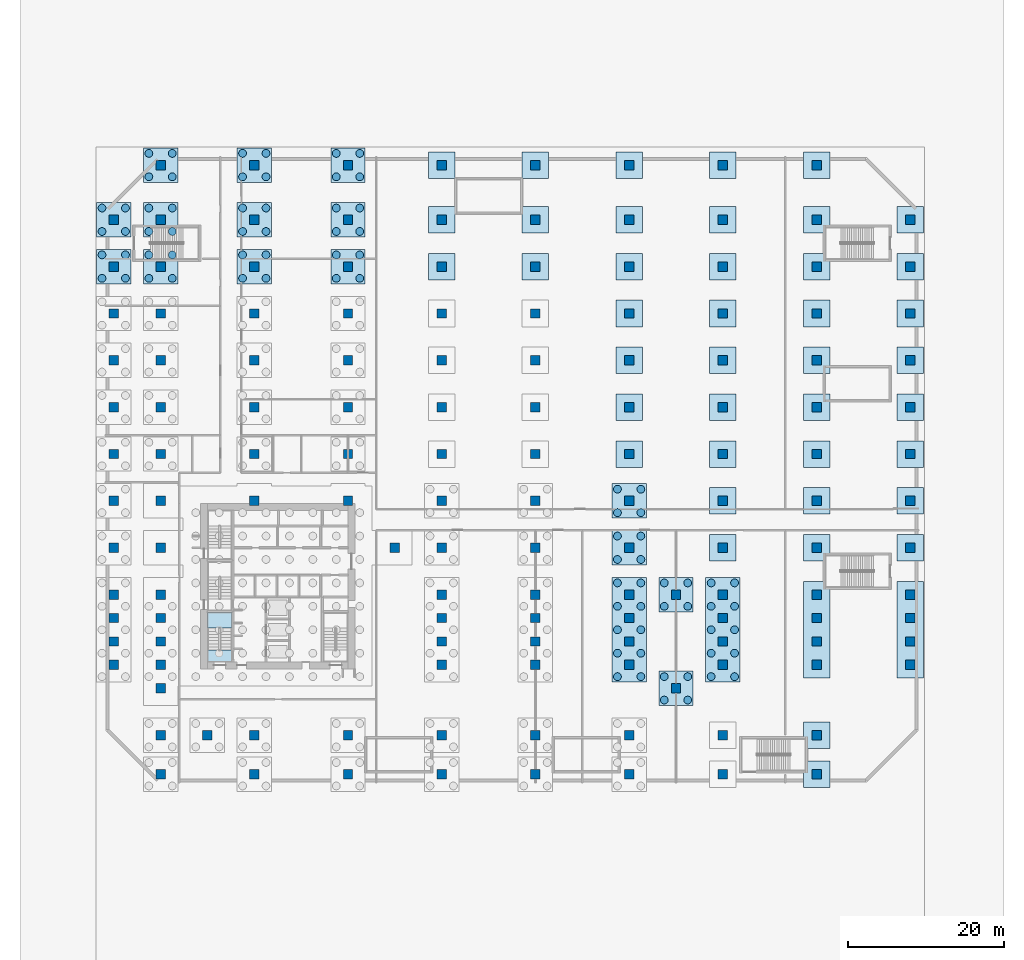
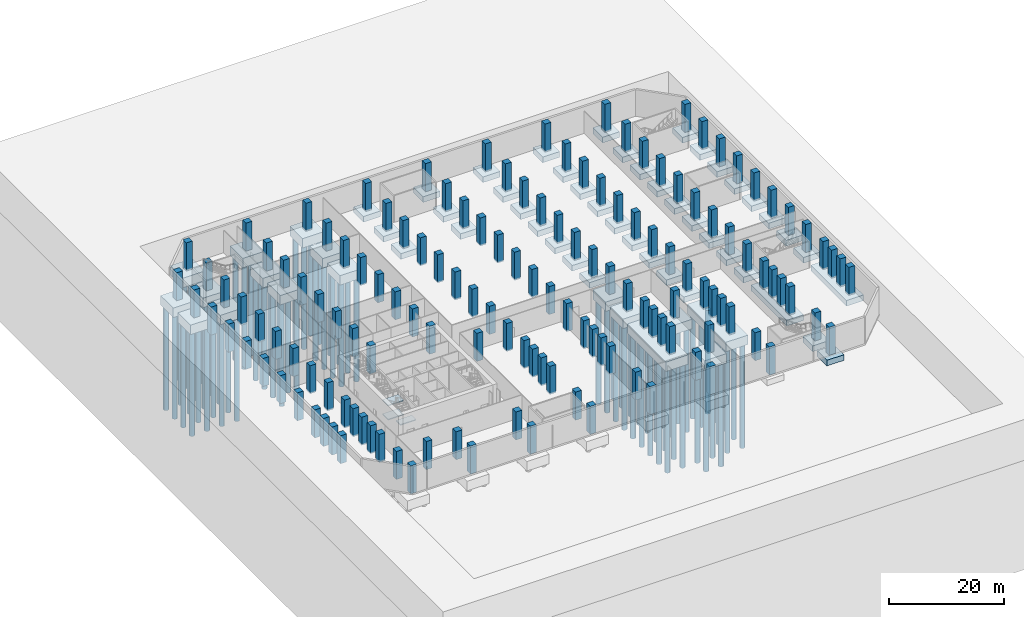
# One storey, part 2 of 16: 139 columns, 80 piles, 60 footings, 3 slabs, 1 element without a shape of its own.
"""IFC4 building model written with IfcOpenShell, lengths in metres."""

from ifc_helpers import new_model, si_unit, direction, frame, origin, origin_2d, place, context, subcontext, project, spatial, polyline, rectangle, circle, outline, extrude, material, layer, layer_set, material_profile, profile_set, type_object, element, aggregate, save


model = new_model("IFC4")

# Units and contexts
model_context = context("Model", 3, precision=1e-05, world=origin(), true_north=direction((0.0, 1.0)))
body_context = subcontext(model_context, "Body", "Model", "MODEL_VIEW")
ifc_project = project(units=[si_unit("LENGTHUNIT", "METRE"), si_unit("AREAUNIT", "SQUARE_METRE"), si_unit("VOLUMEUNIT", "CUBIC_METRE"), si_unit("PLANEANGLEUNIT", "RADIAN"), si_unit("MASSUNIT", "GRAM", prefix="KILO")], contexts=[model_context])

# Site, building, storey
site_placement = place(None, origin())
site = spatial("IfcSite", under=ifc_project, at=site_placement, CompositionType="ELEMENT")
building_placement = place(site_placement, origin())
building = spatial("IfcBuilding", under=site, at=building_placement, Name="Welwitschia Terrace Campus", CompositionType="ELEMENT")
storey_placement = place(building_placement, frame((0.0, 0.0, -6.0)))
storey = spatial("IfcBuildingStorey", under=building, at=storey_placement, Name="B1", CompositionType="ELEMENT", Elevation=-6.0)

# Piles
ifc_material_1 = material(Name="Concrete C40/50", Category="concrete")
pile_type = type_object("IfcPileType", Name="Bored pile 1000 under cap", PredefinedType="BORED", material=ifc_material_1)
for number, where, z_axis, x_axis, name in (
    (1, (58.5, 3.5, -2.199951171875), (0.0, 0.0, -1.0), (1.0, 0.0, 0.0), "Bored pile"),
    (2, (61.5, 3.5, -2.199951171875), (0.0, 0.0, -1.0), (1.0, 0.0, 0.0), "Bored pile"),
    (3, (58.5, 6.5, -2.199951171875), (0.0, 0.0, -1.0), (1.0, 0.0, 0.0), "Bored pile"),
    (4, (61.5, 6.5, -2.199951171875), (0.0, 0.0, -1.0), (1.0, 0.0, 0.0), "Bored pile"),
    (5, (58.5, 9.5, -2.199951171875), (0.0, 0.0, -1.0), (1.0, 0.0, 0.0), "Bored pile"),
    (6, (61.5, 9.5, -2.199951171875), (0.0, 0.0, -1.0), (1.0, 0.0, 0.0), "Bored pile"),
    (7, (58.5, 12.5, -2.199951171875), (0.0, 0.0, -1.0), (1.0, 0.0, 0.0), "Bored pile"),
    (8, (61.5, 12.5, -2.199951171875), (0.0, 0.0, -1.0), (1.0, 0.0, 0.0), "Bored pile"),
    (9, (58.5, 15.5, -2.199951171875), (0.0, 0.0, -1.0), (1.0, 0.0, 0.0), "Bored pile"),
    (10, (61.5, 15.5, -2.199951171875), (0.0, 0.0, -1.0), (1.0, 0.0, 0.0), "Bored pile"),
    (11, (70.5, 3.5, -2.199951171875), (0.0, 0.0, -1.0), (1.0, 0.0, 0.0), "Bored pile"),
    (12, (73.5, 3.5, -2.199951171875), (0.0, 0.0, -1.0), (1.0, 0.0, 0.0), "Bored pile"),
    (13, (70.5, 6.5, -2.199951171875), (0.0, 0.0, -1.0), (1.0, 0.0, 0.0), "Bored pile"),
    (14, (73.5, 6.5, -2.199951171875), (0.0, 0.0, -1.0), (1.0, 0.0, 0.0), "Bored pile"),
    (15, (70.5, 9.5, -2.199951171875), (0.0, 0.0, -1.0), (1.0, 0.0, 0.0), "Bored pile"),
    (16, (73.5, 9.5, -2.199951171875), (0.0, 0.0, -1.0), (1.0, 0.0, 0.0), "Bored pile"),
    (17, (70.5, 12.5, -2.199951171875), (0.0, 0.0, -1.0), (1.0, 0.0, 0.0), "Bored pile"),
    (18, (73.5, 12.5, -2.199951171875), (0.0, 0.0, -1.0), (1.0, 0.0, 0.0), "Bored pile"),
    (19, (70.5, 15.5, -2.199951171875), (0.0, 0.0, -1.0), (1.0, 0.0, 0.0), "Bored pile"),
    (20, (73.5, 15.5, -2.199951171875), (0.0, 0.0, -1.0), (1.0, 0.0, 0.0), "Bored pile"),
    (21, (-7.5, 54.5, -2.199951171875), (0.0, 0.0, -1.0), (1.0, 0.0, 0.0), "Bored pile"),
    (22, (-7.5, 57.5, -2.199951171875), (0.0, 0.0, -1.0), (1.0, 0.0, 0.0), "Bored pile"),
    (23, (-4.5, 54.5, -2.199951171875), (0.0, 0.0, -1.0), (1.0, 0.0, 0.0), "Bored pile"),
    (24, (-4.5, 57.5, -2.199951171875), (0.0, 0.0, -1.0), (1.0, 0.0, 0.0), "Bored pile"),
    (25, (-7.5, 60.5, -2.199951171875), (0.0, 0.0, -1.0), (1.0, 0.0, 0.0), "Bored pile"),
    (26, (-7.5, 63.5, -2.199951171875), (0.0, 0.0, -1.0), (1.0, 0.0, 0.0), "Bored pile"),
    (27, (-4.5, 60.5, -2.199951171875), (0.0, 0.0, -1.0), (1.0, 0.0, 0.0), "Bored pile"),
    (28, (-4.5, 63.5, -2.199951171875), (0.0, 0.0, -1.0), (1.0, 0.0, 0.0), "Bored pile"),
    (29, (-1.5, 54.5, -2.199951171875), (0.0, 0.0, -1.0), (1.0, 0.0, 0.0), "Bored pile"),
    (30, (-1.5, 57.5, -2.199951171875), (0.0, 0.0, -1.0), (1.0, 0.0, 0.0), "Bored pile"),
    (31, (1.5, 54.5, -2.199951171875), (0.0, 0.0, -1.0), (1.0, 0.0, 0.0), "Bored pile"),
    (32, (1.5, 57.5, -2.199951171875), (0.0, 0.0, -1.0), (1.0, 0.0, 0.0), "Bored pile"),
    (33, (-1.5, 60.5, -2.199951171875), (0.0, 0.0, -1.0), (1.0, 0.0, 0.0), "Bored pile"),
    (34, (-1.5, 63.5, -2.199951171875), (0.0, 0.0, -1.0), (1.0, 0.0, 0.0), "Bored pile"),
    (35, (1.5, 60.5, -2.199951171875), (0.0, 0.0, -1.0), (1.0, 0.0, 0.0), "Bored pile"),
    (36, (1.5, 63.5, -2.199951171875), (0.0, 0.0, -1.0), (1.0, 0.0, 0.0), "Bored pile"),
    (37, (-1.5, 67.5, -2.199951171875), (0.0, 0.0, -1.0), (1.0, 0.0, 0.0), "Bored pile"),
    (38, (-1.5, 70.5, -2.199951171875), (0.0, 0.0, -1.0), (1.0, 0.0, 0.0), "Bored pile"),
    (39, (1.5, 67.5, -2.199951171875), (0.0, 0.0, -1.0), (1.0, 0.0, 0.0), "Bored pile"),
    (40, (1.5, 70.5, -2.199951171875), (0.0, 0.0, -1.0), (1.0, 0.0, 0.0), "Bored pile"),
    (41, (10.5, 54.5, -2.199951171875), (0.0, 0.0, -1.0), (1.0, 0.0, 0.0), "Bored pile"),
    (42, (10.5, 57.5, -2.199951171875), (0.0, 0.0, -1.0), (1.0, 0.0, 0.0), "Bored pile"),
    (43, (13.5, 54.5, -2.199951171875), (0.0, 0.0, -1.0), (1.0, 0.0, 0.0), "Bored pile"),
    (44, (13.5, 57.5, -2.199951171875), (0.0, 0.0, -1.0), (1.0, 0.0, 0.0), "Bored pile"),
    (45, (10.5, 60.5, -2.199951171875), (0.0, 0.0, -1.0), (1.0, 0.0, 0.0), "Bored pile"),
    (46, (10.5, 63.5, -2.199951171875), (0.0, 0.0, -1.0), (1.0, 0.0, 0.0), "Bored pile"),
    (47, (13.5, 60.5, -2.199951171875), (0.0, 0.0, -1.0), (1.0, 0.0, 0.0), "Bored pile"),
    (48, (13.5, 63.5, -2.199951171875), (0.0, 0.0, -1.0), (1.0, 0.0, 0.0), "Bored pile"),
    (49, (10.5, 67.5, -2.199951171875), (0.0, 0.0, -1.0), (1.0, 0.0, 0.0), "Bored pile"),
    (50, (10.5, 70.5, -2.199951171875), (0.0, 0.0, -1.0), (1.0, 0.0, 0.0), "Bored pile"),
    (51, (13.5, 67.5, -2.199951171875), (0.0, 0.0, -1.0), (1.0, 0.0, 0.0), "Bored pile"),
    (52, (13.5, 70.5, -2.199951171875), (0.0, 0.0, -1.0), (1.0, 0.0, 0.0), "Bored pile"),
    (53, (22.5, 54.5, -2.199951171875), (0.0, 0.0, -1.0), (1.0, 0.0, 0.0), "Bored pile"),
    (54, (22.5, 57.5, -2.199951171875), (0.0, 0.0, -1.0), (1.0, 0.0, 0.0), "Bored pile"),
    (55, (25.5, 54.5, -2.199951171875), (0.0, 0.0, -1.0), (1.0, 0.0, 0.0), "Bored pile"),
    (56, (25.5, 57.5, -2.199951171875), (0.0, 0.0, -1.0), (1.0, 0.0, 0.0), "Bored pile"),
    (57, (22.5, 60.5, -2.199951171875), (0.0, 0.0, -1.0), (1.0, 0.0, 0.0), "Bored pile"),
    (58, (22.5, 63.5, -2.199951171875), (0.0, 0.0, -1.0), (1.0, 0.0, 0.0), "Bored pile"),
    (59, (25.5, 60.5, -2.199951171875), (0.0, 0.0, -1.0), (1.0, 0.0, 0.0), "Bored pile"),
    (60, (25.5, 63.5, -2.199951171875), (0.0, 0.0, -1.0), (1.0, 0.0, 0.0), "Bored pile"),
    (61, (22.5, 67.5, -2.199951171875), (0.0, 0.0, -1.0), (1.0, 0.0, 0.0), "Bored pile"),
    (62, (22.5, 70.5, -2.199951171875), (0.0, 0.0, -1.0), (1.0, 0.0, 0.0), "Bored pile"),
    (63, (25.5, 67.5, -2.199951171875), (0.0, 0.0, -1.0), (1.0, 0.0, 0.0), "Bored pile"),
    (64, (25.5, 70.5, -2.199951171875), (0.0, 0.0, -1.0), (1.0, 0.0, 0.0), "Bored pile"),
    (65, (58.5, 18.5, -2.199951171875), (0.0, 0.0, -1.0), (1.0, 0.0, 0.0), "Bored pile"),
    (66, (58.5, 21.5, -2.199951171875), (0.0, 0.0, -1.0), (1.0, 0.0, 0.0), "Bored pile"),
    (67, (61.5, 18.5, -2.199951171875), (0.0, 0.0, -1.0), (1.0, 0.0, 0.0), "Bored pile"),
    (68, (61.5, 21.5, -2.199951171875), (0.0, 0.0, -1.0), (1.0, 0.0, 0.0), "Bored pile"),
    (69, (58.5, 24.5, -2.199951171875), (0.0, 0.0, -1.0), (1.0, 0.0, 0.0), "Bored pile"),
    (70, (58.5, 27.5, -2.199951171875), (0.0, 0.0, -1.0), (1.0, 0.0, 0.0), "Bored pile"),
    (71, (61.5, 24.5, -2.199951171875), (0.0, 0.0, -1.0), (1.0, 0.0, 0.0), "Bored pile"),
    (72, (61.5, 27.5, -2.199951171875), (0.0, 0.0, -1.0), (1.0, 0.0, 0.0), "Bored pile"),
    (73, (64.5, 0.5, -2.199951171875), (0.0, 0.0, -1.0), (1.0, 0.0, 0.0), "Bored pile"),
    (74, (64.5, 3.5, -2.199951171875), (0.0, 0.0, -1.0), (1.0, 0.0, 0.0), "Bored pile"),
    (75, (67.5, 0.5, -2.199951171875), (0.0, 0.0, -1.0), (1.0, 0.0, 0.0), "Bored pile"),
    (76, (67.5, 3.5, -2.199951171875), (0.0, 0.0, -1.0), (1.0, 0.0, 0.0), "Bored pile"),
    (77, (64.5, 12.5, -2.199951171875), (0.0, 0.0, -1.0), (1.0, 0.0, 0.0), "Bored pile"),
    (78, (64.5, 15.5, -2.199951171875), (0.0, 0.0, -1.0), (1.0, 0.0, 0.0), "Bored pile"),
    (79, (67.5, 12.5, -2.199951171875), (0.0, 0.0, -1.0), (1.0, 0.0, 0.0), "Bored pile"),
    (80, (67.5, 15.5, -2.199951171875), (0.0, 0.0, -1.0), (1.0, 0.0, 0.0), "Bored pile"),
):
    element("IfcPile", number, at=place(storey_placement, frame(where, z_axis=z_axis, x_axis=x_axis)), inside=storey, type_object=pile_type, Name=name, PredefinedType="BORED", context=body_context, shape_type="SweptSolid", body=[
        extrude(circle(Radius=0.5, at=origin_2d()), origin(), (0.0, 0.0, 1.0), 22.0),
    ])

# Footings
ifc_material_2 = material(Name="Concrete C40/50", Category="concrete")
footing_type_1 = type_object("IfcFootingType", Name="Pad footing 3400x3400x1200", PredefinedType="PAD_FOOTING", material=ifc_material_2)
for number, where, z_axis, x_axis, name in (
    (81, (36.0, 56.0, -1.5), (0.0, 0.0, 1.0), (1.0, 0.0, 0.0), "Pad footing"),
    (82, (36.0, 62.0, -1.5), (0.0, 0.0, 1.0), (1.0, 0.0, 0.0), "Pad footing"),
    (83, (36.0, 69.0, -1.5), (0.0, 0.0, 1.0), (1.0, 0.0, 0.0), "Pad footing"),
    (84, (48.0, 56.0, -1.5), (0.0, 0.0, 1.0), (1.0, 0.0, 0.0), "Pad footing"),
    (85, (48.0, 62.0, -1.5), (0.0, 0.0, 1.0), (1.0, 0.0, 0.0), "Pad footing"),
    (86, (48.0, 69.0, -1.5), (0.0, 0.0, 1.0), (1.0, 0.0, 0.0), "Pad footing"),
    (87, (60.0, 32.0, -1.5), (0.0, 0.0, 1.0), (1.0, 0.0, 0.0), "Pad footing"),
    (88, (60.0, 38.0, -1.5), (0.0, 0.0, 1.0), (1.0, 0.0, 0.0), "Pad footing"),
    (89, (60.0, 44.0, -1.5), (0.0, 0.0, 1.0), (1.0, 0.0, 0.0), "Pad footing"),
    (90, (60.0, 50.0, -1.5), (0.0, 0.0, 1.0), (1.0, 0.0, 0.0), "Pad footing"),
    (91, (60.0, 56.0, -1.5), (0.0, 0.0, 1.0), (1.0, 0.0, 0.0), "Pad footing"),
    (92, (60.0, 62.0, -1.5), (0.0, 0.0, 1.0), (1.0, 0.0, 0.0), "Pad footing"),
    (93, (60.0, 69.0, -1.5), (0.0, 0.0, 1.0), (1.0, 0.0, 0.0), "Pad footing"),
    (94, (72.0, 20.0, -1.5), (0.0, 0.0, 1.0), (1.0, 0.0, 0.0), "Pad footing"),
    (95, (72.0, 26.0, -1.5), (0.0, 0.0, 1.0), (1.0, 0.0, 0.0), "Pad footing"),
    (96, (72.0, 32.0, -1.5), (0.0, 0.0, 1.0), (1.0, 0.0, 0.0), "Pad footing"),
    (97, (72.0, 38.0, -1.5), (0.0, 0.0, 1.0), (1.0, 0.0, 0.0), "Pad footing"),
    (98, (72.0, 44.0, -1.5), (0.0, 0.0, 1.0), (1.0, 0.0, 0.0), "Pad footing"),
    (99, (72.0, 50.0, -1.5), (0.0, 0.0, 1.0), (1.0, 0.0, 0.0), "Pad footing"),
    (100, (72.0, 56.0, -1.5), (0.0, 0.0, 1.0), (1.0, 0.0, 0.0), "Pad footing"),
    (101, (72.0, 62.0, -1.5), (0.0, 0.0, 1.0), (1.0, 0.0, 0.0), "Pad footing"),
    (102, (72.0, 69.0, -1.5), (0.0, 0.0, 1.0), (1.0, 0.0, 0.0), "Pad footing"),
    (103, (84.0, -9.0, -1.5), (0.0, 0.0, 1.0), (1.0, 0.0, 0.0), "Pad footing"),
    (104, (84.0, -4.0, -1.5), (0.0, 0.0, 1.0), (1.0, 0.0, 0.0), "Pad footing"),
    (105, (84.0, 20.0, -1.5), (0.0, 0.0, 1.0), (1.0, 0.0, 0.0), "Pad footing"),
    (106, (84.0, 26.0, -1.5), (0.0, 0.0, 1.0), (1.0, 0.0, 0.0), "Pad footing"),
    (107, (84.0, 32.0, -1.5), (0.0, 0.0, 1.0), (1.0, 0.0, 0.0), "Pad footing"),
    (108, (84.0, 38.0, -1.5), (0.0, 0.0, 1.0), (1.0, 0.0, 0.0), "Pad footing"),
    (109, (84.0, 44.0, -1.5), (0.0, 0.0, 1.0), (1.0, 0.0, 0.0), "Pad footing"),
    (110, (84.0, 50.0, -1.5), (0.0, 0.0, 1.0), (1.0, 0.0, 0.0), "Pad footing"),
    (111, (84.0, 56.0, -1.5), (0.0, 0.0, 1.0), (1.0, 0.0, 0.0), "Pad footing"),
    (112, (84.0, 62.0, -1.5), (0.0, 0.0, 1.0), (1.0, 0.0, 0.0), "Pad footing"),
    (113, (84.0, 69.0, -1.5), (0.0, 0.0, 1.0), (1.0, 0.0, 0.0), "Pad footing"),
    (114, (96.0, 20.0, -1.5), (0.0, 0.0, 1.0), (1.0, 0.0, 0.0), "Pad footing"),
    (115, (96.0, 26.0, -1.5), (0.0, 0.0, 1.0), (1.0, 0.0, 0.0), "Pad footing"),
    (116, (96.0, 32.0, -1.5), (0.0, 0.0, 1.0), (1.0, 0.0, 0.0), "Pad footing"),
    (117, (96.0, 38.0, -1.5), (0.0, 0.0, 1.0), (1.0, 0.0, 0.0), "Pad footing"),
    (118, (96.0, 44.0, -1.5), (0.0, 0.0, 1.0), (1.0, 0.0, 0.0), "Pad footing"),
    (119, (96.0, 50.0, -1.5), (0.0, 0.0, 1.0), (1.0, 0.0, 0.0), "Pad footing"),
    (120, (96.0, 56.0, -1.5), (0.0, 0.0, 1.0), (1.0, 0.0, 0.0), "Pad footing"),
    (121, (96.0, 62.0, -1.5), (0.0, 0.0, 1.0), (1.0, 0.0, 0.0), "Pad footing"),
):
    element("IfcFooting", number, at=place(storey_placement, frame(where, z_axis=z_axis, x_axis=x_axis)), inside=storey, type_object=footing_type_1, Name=name, PredefinedType="PAD_FOOTING", context=body_context, shape_type="SweptSolid", body=[
        extrude(rectangle(XDim=3.39990234375, YDim=3.39990234375, at=origin_2d()), origin(), (0.0, 0.0, 1.0), 1.199951171875),
    ])
ifc_material_3 = material(Name="Concrete C40/50", Category="concrete")
footing_type_2 = type_object("IfcFootingType", Name="Pile cap 4400x4400x2000", PredefinedType="PILE_CAP", material=ifc_material_3)
for number, where, z_axis, x_axis, name in (
    (122, (-6.0, 56.0, -2.300048828125), (0.0, 0.0, 1.0), (1.0, 0.0, 0.0), "Pile cap"),
    (123, (-6.0, 62.0, -2.300048828125), (0.0, 0.0, 1.0), (1.0, 0.0, 0.0), "Pile cap"),
    (124, (0.0, 56.0, -2.300048828125), (0.0, 0.0, 1.0), (1.0, 0.0, 0.0), "Pile cap"),
    (125, (0.0, 62.0, -2.300048828125), (0.0, 0.0, 1.0), (1.0, 0.0, 0.0), "Pile cap"),
    (126, (0.0, 69.0, -2.300048828125), (0.0, 0.0, 1.0), (1.0, 0.0, 0.0), "Pile cap"),
    (127, (12.0, 56.0, -2.300048828125), (0.0, 0.0, 1.0), (1.0, 0.0, 0.0), "Pile cap"),
    (128, (12.0, 62.0, -2.300048828125), (0.0, 0.0, 1.0), (1.0, 0.0, 0.0), "Pile cap"),
    (129, (12.0, 69.0, -2.300048828125), (0.0, 0.0, 1.0), (1.0, 0.0, 0.0), "Pile cap"),
    (130, (24.0, 56.0, -2.300048828125), (0.0, 0.0, 1.0), (1.0, 0.0, 0.0), "Pile cap"),
    (131, (24.0, 62.0, -2.300048828125), (0.0, 0.0, 1.0), (1.0, 0.0, 0.0), "Pile cap"),
    (132, (24.0, 69.0, -2.300048828125), (0.0, 0.0, 1.0), (1.0, 0.0, 0.0), "Pile cap"),
    (133, (60.0, 20.0, -2.300048828125), (0.0, 0.0, 1.0), (1.0, 0.0, 0.0), "Pile cap"),
    (134, (60.0, 26.0, -2.300048828125), (0.0, 0.0, 1.0), (1.0, 0.0, 0.0), "Pile cap"),
    (135, (66.0, 2.0, -2.300048828125), (0.0, 0.0, 1.0), (1.0, 0.0, 0.0), "Pile cap"),
    (136, (66.0, 14.0, -2.300048828125), (0.0, 0.0, 1.0), (1.0, 0.0, 0.0), "Pile cap"),
):
    element("IfcFooting", number, at=place(storey_placement, frame(where, z_axis=z_axis, x_axis=x_axis)), inside=storey, type_object=footing_type_2, Name=name, PredefinedType="PILE_CAP", context=body_context, shape_type="SweptSolid", body=[
        extrude(rectangle(XDim=4.39990234375, YDim=4.39990234375, at=origin_2d()), origin(), (0.0, 0.0, 1.0), 2.0),
    ])
ifc_material_4 = material(Name="Concrete C40/50", Category="concrete")
footing_type_3 = type_object("IfcFootingType", Name="Strip pad footing 3400x12400x1200", PredefinedType="PAD_FOOTING", material=ifc_material_4)
for number, where, z_axis, x_axis, name in (
    (137, (84.0, 9.5, -1.5), (0.0, 0.0, 1.0), (1.0, 0.0, 0.0), "Pad footing"),
    (138, (96.0, 9.5, -1.5), (0.0, 0.0, 1.0), (1.0, 0.0, 0.0), "Pad footing"),
):
    element("IfcFooting", number, at=place(storey_placement, frame(where, z_axis=z_axis, x_axis=x_axis)), inside=storey, type_object=footing_type_3, Name=name, PredefinedType="PAD_FOOTING", context=body_context, shape_type="SweptSolid", body=[
        extrude(rectangle(XDim=3.39990234375, YDim=12.39990234375, at=origin_2d()), origin(), (0.0, 0.0, 1.0), 1.199951171875),
    ])
ifc_material_5 = material(Name="Concrete C40/50", Category="concrete")
footing_type_4 = type_object("IfcFootingType", Name="Strip pile cap 4400x13400x2000", PredefinedType="PILE_CAP", material=ifc_material_5)
for number, where, z_axis, x_axis, name in (
    (139, (60.0, 9.5, -2.300048828125), (0.0, 0.0, 1.0), (1.0, 0.0, 0.0), "Pile cap"),
    (140, (72.0, 9.5, -2.300048828125), (0.0, 0.0, 1.0), (1.0, 0.0, 0.0), "Pile cap"),
):
    element("IfcFooting", number, at=place(storey_placement, frame(where, z_axis=z_axis, x_axis=x_axis)), inside=storey, type_object=footing_type_4, Name=name, PredefinedType="PILE_CAP", context=body_context, shape_type="SweptSolid", body=[
        extrude(rectangle(XDim=4.39990234375, YDim=13.39990234375, at=origin_2d()), origin(), (0.0, 0.0, 1.0), 2.0),
    ])

# Columns
ifc_material_6 = material(Name="Concrete C60/75", Category="concrete")
ifc_material_profile = material_profile(ifc_material_6, rectangle(XDim=1.199951171875, YDim=1.199951171875, at=origin_2d()))
ifc_profile_set = profile_set([ifc_material_profile], Name="Concrete C60/75")
column_type = type_object("IfcColumnType", Name="Base column 1200x1200", PredefinedType="COLUMN", material=ifc_profile_set)
for number, where, z_axis, x_axis, name in (
    (141, (-6.0, 5.0, -0.300048828125), (0.0, 0.0, 1.0), (1.0, 0.0, 0.0), "Column C1"),
    (142, (-6.0, 8.0, -0.300048828125), (0.0, 0.0, 1.0), (1.0, 0.0, 0.0), "Column C1"),
    (143, (-6.0, 11.0, -0.300048828125), (0.0, 0.0, 1.0), (1.0, 0.0, 0.0), "Column C1"),
    (144, (-6.0, 14.0, -0.300048828125), (0.0, 0.0, 1.0), (1.0, 0.0, 0.0), "Column C1"),
    (145, (-6.0, 20.0, -0.300048828125), (0.0, 0.0, 1.0), (1.0, 0.0, 0.0), "Column C1"),
    (146, (-6.0, 26.0, -0.300048828125), (0.0, 0.0, 1.0), (1.0, 0.0, 0.0), "Column C1"),
    (147, (-6.0, 32.0, -0.300048828125), (0.0, 0.0, 1.0), (1.0, 0.0, 0.0), "Column C1"),
    (148, (-6.0, 38.0, -0.300048828125), (0.0, 0.0, 1.0), (1.0, 0.0, 0.0), "Column C1"),
    (149, (-6.0, 44.0, -0.300048828125), (0.0, 0.0, 1.0), (1.0, 0.0, 0.0), "Column C1"),
    (150, (-6.0, 50.0, -0.300048828125), (0.0, 0.0, 1.0), (1.0, 0.0, 0.0), "Column C1"),
    (151, (-6.0, 56.0, -0.300048828125), (0.0, 0.0, 1.0), (1.0, 0.0, 0.0), "Column C1"),
    (152, (-6.0, 62.0, -0.300048828125), (0.0, 0.0, 1.0), (1.0, 0.0, 0.0), "Column C1"),
    (153, (0.0, -9.0, -0.300048828125), (0.0, 0.0, 1.0), (1.0, 0.0, 0.0), "Column C1"),
    (154, (0.0, -4.0, -0.300048828125), (0.0, 0.0, 1.0), (1.0, 0.0, 0.0), "Column C1"),
    (155, (0.0, 2.0, -0.300048828125), (0.0, 0.0, 1.0), (1.0, 0.0, 0.0), "Column C1"),
    (156, (0.0, 5.0, -0.300048828125), (0.0, 0.0, 1.0), (1.0, 0.0, 0.0), "Column C1"),
    (157, (0.0, 8.0, -0.300048828125), (0.0, 0.0, 1.0), (1.0, 0.0, 0.0), "Column C1"),
    (158, (0.0, 11.0, -0.300048828125), (0.0, 0.0, 1.0), (1.0, 0.0, 0.0), "Column C1"),
    (159, (0.0, 14.0, -0.300048828125), (0.0, 0.0, 1.0), (1.0, 0.0, 0.0), "Column C1"),
    (160, (0.0, 20.0, -0.300048828125), (0.0, 0.0, 1.0), (1.0, 0.0, 0.0), "Column C1"),
    (161, (0.0, 26.0, -0.300048828125), (0.0, 0.0, 1.0), (1.0, 0.0, 0.0), "Column C1"),
    (162, (0.0, 32.0, -0.300048828125), (0.0, 0.0, 1.0), (1.0, 0.0, 0.0), "Column C1"),
    (163, (0.0, 38.0, -0.300048828125), (0.0, 0.0, 1.0), (1.0, 0.0, 0.0), "Column C1"),
    (164, (0.0, 44.0, -0.300048828125), (0.0, 0.0, 1.0), (1.0, 0.0, 0.0), "Column C1"),
    (165, (0.0, 50.0, -0.300048828125), (0.0, 0.0, 1.0), (1.0, 0.0, 0.0), "Column C1"),
    (166, (0.0, 56.0, -0.300048828125), (0.0, 0.0, 1.0), (1.0, 0.0, 0.0), "Column C1"),
    (167, (0.0, 62.0, -0.300048828125), (0.0, 0.0, 1.0), (1.0, 0.0, 0.0), "Column C1"),
    (168, (0.0, 69.0, -0.300048828125), (0.0, 0.0, 1.0), (1.0, 0.0, 0.0), "Column C1"),
    (169, (6.0, -4.0, -0.300048828125), (0.0, 0.0, 1.0), (1.0, 0.0, 0.0), "Column C1"),
    (170, (12.0, -9.0, -0.300048828125), (0.0, 0.0, 1.0), (1.0, 0.0, 0.0), "Column C1"),
    (171, (12.0, -4.0, -0.300048828125), (0.0, 0.0, 1.0), (1.0, 0.0, 0.0), "Column C1"),
    (172, (12.0, 26.0, -0.300048828125), (0.0, 0.0, 1.0), (1.0, 0.0, 0.0), "Column C1"),
    (173, (12.0, 32.0, -0.300048828125), (0.0, 0.0, 1.0), (1.0, 0.0, 0.0), "Column C1"),
    (174, (12.0, 38.0, -0.300048828125), (0.0, 0.0, 1.0), (1.0, 0.0, 0.0), "Column C1"),
    (175, (12.0, 44.0, -0.300048828125), (0.0, 0.0, 1.0), (1.0, 0.0, 0.0), "Column C1"),
    (176, (12.0, 50.0, -0.300048828125), (0.0, 0.0, 1.0), (1.0, 0.0, 0.0), "Column C1"),
    (177, (12.0, 56.0, -0.300048828125), (0.0, 0.0, 1.0), (1.0, 0.0, 0.0), "Column C1"),
    (178, (12.0, 62.0, -0.300048828125), (0.0, 0.0, 1.0), (1.0, 0.0, 0.0), "Column C1"),
    (179, (12.0, 69.0, -0.300048828125), (0.0, 0.0, 1.0), (1.0, 0.0, 0.0), "Column C1"),
    (180, (24.0, -9.0, -0.300048828125), (0.0, 0.0, 1.0), (1.0, 0.0, 0.0), "Column C1"),
    (181, (24.0, -4.0, -0.300048828125), (0.0, 0.0, 1.0), (1.0, 0.0, 0.0), "Column C1"),
    (182, (24.0, 26.0, -0.300048828125), (0.0, 0.0, 1.0), (1.0, 0.0, 0.0), "Column C1"),
    (183, (24.0, 32.0, -0.300048828125), (0.0, 0.0, 1.0), (1.0, 0.0, 0.0), "Column C1"),
    (184, (24.0, 38.0, -0.300048828125), (0.0, 0.0, 1.0), (1.0, 0.0, 0.0), "Column C1"),
    (185, (24.0, 44.0, -0.300048828125), (0.0, 0.0, 1.0), (1.0, 0.0, 0.0), "Column C1"),
    (186, (24.0, 50.0, -0.300048828125), (0.0, 0.0, 1.0), (1.0, 0.0, 0.0), "Column C1"),
    (187, (24.0, 56.0, -0.300048828125), (0.0, 0.0, 1.0), (1.0, 0.0, 0.0), "Column C1"),
    (188, (24.0, 62.0, -0.300048828125), (0.0, 0.0, 1.0), (1.0, 0.0, 0.0), "Column C1"),
    (189, (24.0, 69.0, -0.300048828125), (0.0, 0.0, 1.0), (1.0, 0.0, 0.0), "Column C1"),
    (190, (30.0, 20.0, -0.300048828125), (0.0, 0.0, 1.0), (1.0, 0.0, 0.0), "Column C1"),
    (191, (36.0, -9.0, -0.300048828125), (0.0, 0.0, 1.0), (1.0, 0.0, 0.0), "Column C1"),
    (192, (36.0, -4.0, -0.300048828125), (0.0, 0.0, 1.0), (1.0, 0.0, 0.0), "Column C1"),
    (193, (36.0, 5.0, -0.300048828125), (0.0, 0.0, 1.0), (1.0, 0.0, 0.0), "Column C1"),
    (194, (36.0, 8.0, -0.300048828125), (0.0, 0.0, 1.0), (1.0, 0.0, 0.0), "Column C1"),
    (195, (36.0, 11.0, -0.300048828125), (0.0, 0.0, 1.0), (1.0, 0.0, 0.0), "Column C1"),
    (196, (36.0, 14.0, -0.300048828125), (0.0, 0.0, 1.0), (1.0, 0.0, 0.0), "Column C1"),
    (197, (36.0, 20.0, -0.300048828125), (0.0, 0.0, 1.0), (1.0, 0.0, 0.0), "Column C1"),
    (198, (36.0, 26.0, -0.300048828125), (0.0, 0.0, 1.0), (1.0, 0.0, 0.0), "Column C1"),
    (199, (36.0, 32.0, -0.300048828125), (0.0, 0.0, 1.0), (1.0, 0.0, 0.0), "Column C1"),
    (200, (36.0, 38.0, -0.300048828125), (0.0, 0.0, 1.0), (1.0, 0.0, 0.0), "Column C1"),
    (201, (36.0, 44.0, -0.300048828125), (0.0, 0.0, 1.0), (1.0, 0.0, 0.0), "Column C1"),
    (202, (36.0, 50.0, -0.300048828125), (0.0, 0.0, 1.0), (1.0, 0.0, 0.0), "Column C1"),
    (203, (36.0, 56.0, -0.300048828125), (0.0, 0.0, 1.0), (1.0, 0.0, 0.0), "Column C1"),
    (204, (36.0, 62.0, -0.300048828125), (0.0, 0.0, 1.0), (1.0, 0.0, 0.0), "Column C1"),
    (205, (36.0, 69.0, -0.300048828125), (0.0, 0.0, 1.0), (1.0, 0.0, 0.0), "Column C1"),
    (206, (48.0, -9.0, -0.300048828125), (0.0, 0.0, 1.0), (1.0, 0.0, 0.0), "Column C1"),
    (207, (48.0, -4.0, -0.300048828125), (0.0, 0.0, 1.0), (1.0, 0.0, 0.0), "Column C1"),
    (208, (48.0, 5.0, -0.300048828125), (0.0, 0.0, 1.0), (1.0, 0.0, 0.0), "Column C1"),
    (209, (48.0, 8.0, -0.300048828125), (0.0, 0.0, 1.0), (1.0, 0.0, 0.0), "Column C1"),
    (210, (48.0, 11.0, -0.300048828125), (0.0, 0.0, 1.0), (1.0, 0.0, 0.0), "Column C1"),
    (211, (48.0, 14.0, -0.300048828125), (0.0, 0.0, 1.0), (1.0, 0.0, 0.0), "Column C1"),
    (212, (48.0, 20.0, -0.300048828125), (0.0, 0.0, 1.0), (1.0, 0.0, 0.0), "Column C1"),
    (213, (48.0, 26.0, -0.300048828125), (0.0, 0.0, 1.0), (1.0, 0.0, 0.0), "Column C1"),
    (214, (48.0, 32.0, -0.300048828125), (0.0, 0.0, 1.0), (1.0, 0.0, 0.0), "Column C1"),
    (215, (48.0, 38.0, -0.300048828125), (0.0, 0.0, 1.0), (1.0, 0.0, 0.0), "Column C1"),
    (216, (48.0, 44.0, -0.300048828125), (0.0, 0.0, 1.0), (1.0, 0.0, 0.0), "Column C1"),
    (217, (48.0, 50.0, -0.300048828125), (0.0, 0.0, 1.0), (1.0, 0.0, 0.0), "Column C1"),
    (218, (48.0, 56.0, -0.300048828125), (0.0, 0.0, 1.0), (1.0, 0.0, 0.0), "Column C1"),
    (219, (48.0, 62.0, -0.300048828125), (0.0, 0.0, 1.0), (1.0, 0.0, 0.0), "Column C1"),
    (220, (48.0, 69.0, -0.300048828125), (0.0, 0.0, 1.0), (1.0, 0.0, 0.0), "Column C1"),
    (221, (60.0, -9.0, -0.300048828125), (0.0, 0.0, 1.0), (1.0, 0.0, 0.0), "Column C1"),
    (222, (60.0, -4.0, -0.300048828125), (0.0, 0.0, 1.0), (1.0, 0.0, 0.0), "Column C1"),
    (223, (60.0, 5.0, -0.300048828125), (0.0, 0.0, 1.0), (1.0, 0.0, 0.0), "Column C1"),
    (224, (60.0, 8.0, -0.300048828125), (0.0, 0.0, 1.0), (1.0, 0.0, 0.0), "Column C1"),
    (225, (60.0, 11.0, -0.300048828125), (0.0, 0.0, 1.0), (1.0, 0.0, 0.0), "Column C1"),
    (226, (60.0, 14.0, -0.300048828125), (0.0, 0.0, 1.0), (1.0, 0.0, 0.0), "Column C1"),
    (227, (60.0, 20.0, -0.300048828125), (0.0, 0.0, 1.0), (1.0, 0.0, 0.0), "Column C1"),
    (228, (60.0, 26.0, -0.300048828125), (0.0, 0.0, 1.0), (1.0, 0.0, 0.0), "Column C1"),
    (229, (60.0, 32.0, -0.300048828125), (0.0, 0.0, 1.0), (1.0, 0.0, 0.0), "Column C1"),
    (230, (60.0, 38.0, -0.300048828125), (0.0, 0.0, 1.0), (1.0, 0.0, 0.0), "Column C1"),
    (231, (60.0, 44.0, -0.300048828125), (0.0, 0.0, 1.0), (1.0, 0.0, 0.0), "Column C1"),
    (232, (60.0, 50.0, -0.300048828125), (0.0, 0.0, 1.0), (1.0, 0.0, 0.0), "Column C1"),
    (233, (60.0, 56.0, -0.300048828125), (0.0, 0.0, 1.0), (1.0, 0.0, 0.0), "Column C1"),
    (234, (60.0, 62.0, -0.300048828125), (0.0, 0.0, 1.0), (1.0, 0.0, 0.0), "Column C1"),
    (235, (60.0, 69.0, -0.300048828125), (0.0, 0.0, 1.0), (1.0, 0.0, 0.0), "Column C1"),
    (236, (66.0, 2.0, -0.300048828125), (0.0, 0.0, 1.0), (1.0, 0.0, 0.0), "Column C1"),
    (237, (66.0, 14.0, -0.300048828125), (0.0, 0.0, 1.0), (1.0, 0.0, 0.0), "Column C1"),
    (238, (72.0, -9.0, -0.300048828125), (0.0, 0.0, 1.0), (1.0, 0.0, 0.0), "Column C1"),
    (239, (72.0, -4.0, -0.300048828125), (0.0, 0.0, 1.0), (1.0, 0.0, 0.0), "Column C1"),
    (240, (72.0, 5.0, -0.300048828125), (0.0, 0.0, 1.0), (1.0, 0.0, 0.0), "Column C1"),
    (241, (72.0, 8.0, -0.300048828125), (0.0, 0.0, 1.0), (1.0, 0.0, 0.0), "Column C1"),
    (242, (72.0, 11.0, -0.300048828125), (0.0, 0.0, 1.0), (1.0, 0.0, 0.0), "Column C1"),
    (243, (72.0, 14.0, -0.300048828125), (0.0, 0.0, 1.0), (1.0, 0.0, 0.0), "Column C1"),
    (244, (72.0, 20.0, -0.300048828125), (0.0, 0.0, 1.0), (1.0, 0.0, 0.0), "Column C1"),
    (245, (72.0, 26.0, -0.300048828125), (0.0, 0.0, 1.0), (1.0, 0.0, 0.0), "Column C1"),
    (246, (72.0, 32.0, -0.300048828125), (0.0, 0.0, 1.0), (1.0, 0.0, 0.0), "Column C1"),
    (247, (72.0, 38.0, -0.300048828125), (0.0, 0.0, 1.0), (1.0, 0.0, 0.0), "Column C1"),
    (248, (72.0, 44.0, -0.300048828125), (0.0, 0.0, 1.0), (1.0, 0.0, 0.0), "Column C1"),
    (249, (72.0, 50.0, -0.300048828125), (0.0, 0.0, 1.0), (1.0, 0.0, 0.0), "Column C1"),
    (250, (72.0, 56.0, -0.300048828125), (0.0, 0.0, 1.0), (1.0, 0.0, 0.0), "Column C1"),
    (251, (72.0, 62.0, -0.300048828125), (0.0, 0.0, 1.0), (1.0, 0.0, 0.0), "Column C1"),
    (252, (72.0, 69.0, -0.300048828125), (0.0, 0.0, 1.0), (1.0, 0.0, 0.0), "Column C1"),
    (253, (84.0, -9.0, -0.300048828125), (0.0, 0.0, 1.0), (1.0, 0.0, 0.0), "Column C1"),
    (254, (84.0, -4.0, -0.300048828125), (0.0, 0.0, 1.0), (1.0, 0.0, 0.0), "Column C1"),
    (255, (84.0, 5.0, -0.300048828125), (0.0, 0.0, 1.0), (1.0, 0.0, 0.0), "Column C1"),
    (256, (84.0, 8.0, -0.300048828125), (0.0, 0.0, 1.0), (1.0, 0.0, 0.0), "Column C1"),
    (257, (84.0, 11.0, -0.300048828125), (0.0, 0.0, 1.0), (1.0, 0.0, 0.0), "Column C1"),
    (258, (84.0, 14.0, -0.300048828125), (0.0, 0.0, 1.0), (1.0, 0.0, 0.0), "Column C1"),
    (259, (84.0, 20.0, -0.300048828125), (0.0, 0.0, 1.0), (1.0, 0.0, 0.0), "Column C1"),
    (260, (84.0, 26.0, -0.300048828125), (0.0, 0.0, 1.0), (1.0, 0.0, 0.0), "Column C1"),
    (261, (84.0, 32.0, -0.300048828125), (0.0, 0.0, 1.0), (1.0, 0.0, 0.0), "Column C1"),
    (262, (84.0, 38.0, -0.300048828125), (0.0, 0.0, 1.0), (1.0, 0.0, 0.0), "Column C1"),
    (263, (84.0, 44.0, -0.300048828125), (0.0, 0.0, 1.0), (1.0, 0.0, 0.0), "Column C1"),
    (264, (84.0, 50.0, -0.300048828125), (0.0, 0.0, 1.0), (1.0, 0.0, 0.0), "Column C1"),
    (265, (84.0, 56.0, -0.300048828125), (0.0, 0.0, 1.0), (1.0, 0.0, 0.0), "Column C1"),
    (266, (84.0, 62.0, -0.300048828125), (0.0, 0.0, 1.0), (1.0, 0.0, 0.0), "Column C1"),
    (267, (84.0, 69.0, -0.300048828125), (0.0, 0.0, 1.0), (1.0, 0.0, 0.0), "Column C1"),
    (268, (96.0, 5.0, -0.300048828125), (0.0, 0.0, 1.0), (1.0, 0.0, 0.0), "Column C1"),
    (269, (96.0, 8.0, -0.300048828125), (0.0, 0.0, 1.0), (1.0, 0.0, 0.0), "Column C1"),
    (270, (96.0, 11.0, -0.300048828125), (0.0, 0.0, 1.0), (1.0, 0.0, 0.0), "Column C1"),
    (271, (96.0, 14.0, -0.300048828125), (0.0, 0.0, 1.0), (1.0, 0.0, 0.0), "Column C1"),
    (272, (96.0, 20.0, -0.300048828125), (0.0, 0.0, 1.0), (1.0, 0.0, 0.0), "Column C1"),
    (273, (96.0, 26.0, -0.300048828125), (0.0, 0.0, 1.0), (1.0, 0.0, 0.0), "Column C1"),
    (274, (96.0, 32.0, -0.300048828125), (0.0, 0.0, 1.0), (1.0, 0.0, 0.0), "Column C1"),
    (275, (96.0, 38.0, -0.300048828125), (0.0, 0.0, 1.0), (1.0, 0.0, 0.0), "Column C1"),
    (276, (96.0, 44.0, -0.300048828125), (0.0, 0.0, 1.0), (1.0, 0.0, 0.0), "Column C1"),
    (277, (96.0, 50.0, -0.300048828125), (0.0, 0.0, 1.0), (1.0, 0.0, 0.0), "Column C1"),
    (278, (96.0, 56.0, -0.300048828125), (0.0, 0.0, 1.0), (1.0, 0.0, 0.0), "Column C1"),
    (279, (96.0, 62.0, -0.300048828125), (0.0, 0.0, 1.0), (1.0, 0.0, 0.0), "Column C1"),
):
    element("IfcColumn", number, at=place(storey_placement, frame(where, z_axis=z_axis, x_axis=x_axis)), inside=storey, type_object=column_type, Name=name, PredefinedType="COLUMN", context=body_context, shape_type="SweptSolid", body=[
        extrude(rectangle(XDim=1.199951171875, YDim=1.199951171875, at=origin_2d()), origin(), (0.0, 0.0, 1.0), 5.949951171875),
    ])

# Stair, slabs
ifc_material_7 = material(Name="Concrete C40/50", Category="concrete")
stair_type = type_object("IfcStairType", Name="Stair 32R 188 W1500", PredefinedType="HALF_TURN_STAIR", material=ifc_material_7)
stair_placement = place(storey_placement, origin())
stair = element("IfcStair", 280, at=stair_placement, inside=storey, type_object=stair_type, Name="B1 Exit stair S1", PredefinedType="HALF_TURN_STAIR")
ifc_material_8 = material(Name="Concrete C40/50", Category="concrete")
ifc_layer = layer(ifc_material_8, 0.199951171875)
ifc_layer_set = layer_set([ifc_layer], Name="Concrete C40/50")
slab_type = type_object("IfcSlabType", Name="Stair landing RC", PredefinedType="LANDING", material=ifc_layer_set)
slab_1_placement = place(storey_placement, frame((0.0, 0.0, 1.300048828125)))
slab_1 = element("IfcSlab", 281, at=slab_1_placement, type_object=slab_type, Name="S1 landing 1", PredefinedType="LANDING", context=body_context, shape_type="SweptSolid", body=[
    extrude(outline(polyline([(9.14990234375, 9.699951171875), (9.14990234375, 11.699951171875), (6.0, 11.699951171875), (6.0, 9.699951171875), (9.14990234375, 9.699951171875)])), origin(), (0.0, 0.0, 1.0), 0.199951171875),
])
slab_2_placement = place(storey_placement, frame((0.0, 0.0, 2.800048828125)))
slab_2 = element("IfcSlab", 282, at=slab_2_placement, type_object=slab_type, Name="S1 landing 2", PredefinedType="LANDING", context=body_context, shape_type="SweptSolid", body=[
    extrude(outline(polyline([(9.14990234375, 5.39990234375), (9.14990234375, 6.89990234375), (6.0, 6.89990234375), (6.0, 5.39990234375), (9.14990234375, 5.39990234375)])), origin(), (0.0, 0.0, 1.0), 0.199951171875),
])
slab_3_placement = place(storey_placement, frame((0.0, 0.0, 4.300048828125)))
slab_3 = element("IfcSlab", 283, at=slab_3_placement, type_object=slab_type, Name="S1 landing 3", PredefinedType="LANDING", context=body_context, shape_type="SweptSolid", body=[
    extrude(outline(polyline([(9.14990234375, 9.699951171875), (9.14990234375, 11.699951171875), (6.0, 11.699951171875), (6.0, 9.699951171875), (9.14990234375, 9.699951171875)])), origin(), (0.0, 0.0, 1.0), 0.199951171875),
])
aggregate(stair, [slab_1, slab_2, slab_3])

save(model, "model.ifc")
